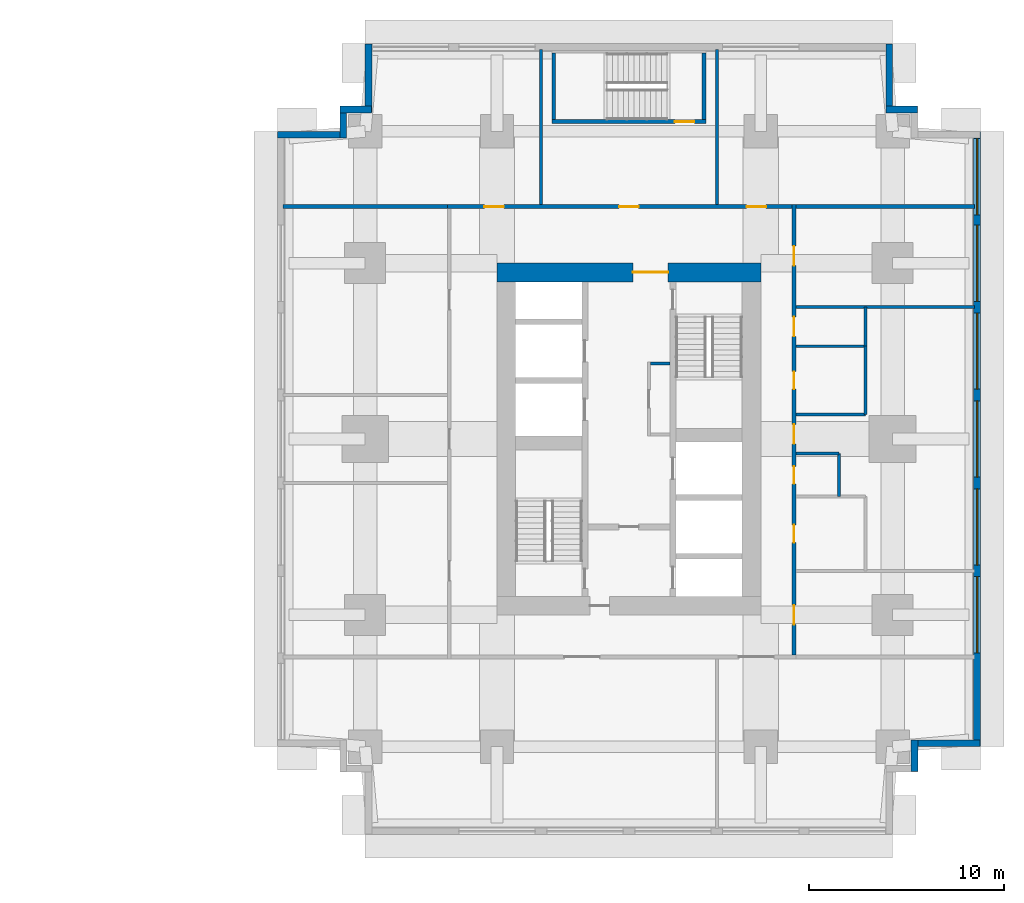
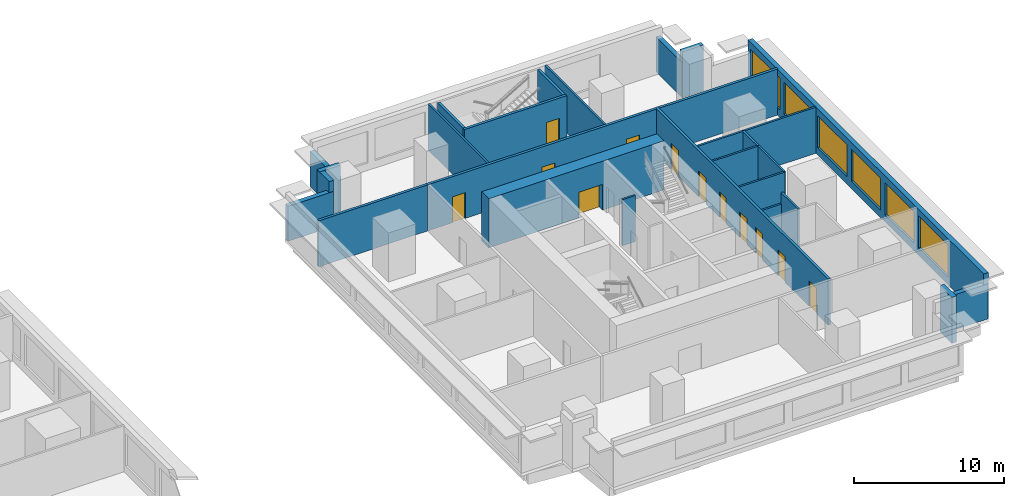
# One storey, part 7 of 11: 27 walls, 12 doors, 6 windows, 18 openings.
"""IFC4 building model written with IfcOpenShell, lengths in metres."""

from ifc_helpers import new_model, si_unit, direction, frame, frame_2d, origin, place, context, subcontext, project, spatial, rectangle, extrude, material, layer, layer_set, type_object, element, fill, save


model = new_model("IFC4")

# Units and contexts
model_context = context("Model", 3, precision=1e-05, world=origin(), true_north=direction((0.0, 1.0)))
body_context = subcontext(model_context, "Body", "Model", "MODEL_VIEW")
ifc_project = project(units=[si_unit("LENGTHUNIT", "METRE"), si_unit("AREAUNIT", "SQUARE_METRE"), si_unit("VOLUMEUNIT", "CUBIC_METRE"), si_unit("PLANEANGLEUNIT", "RADIAN"), si_unit("MASSUNIT", "GRAM", prefix="KILO")], contexts=[model_context])

# Site, building, storey
site_placement = place(None, origin())
site = spatial("IfcSite", under=ifc_project, at=site_placement, CompositionType="ELEMENT")
building_placement = place(site_placement, origin())
building = spatial("IfcBuilding", under=site, at=building_placement, Name="Namib Vertical Campus", CompositionType="ELEMENT")
storey_placement = place(building_placement, frame((0.0, 0.0, 57.0)))
storey = spatial("IfcBuildingStorey", under=building, at=storey_placement, Name="L13", CompositionType="ELEMENT", Elevation=57.0)

# Wall, opening, door
ifc_material_1 = material(Name="Concrete C60/75", Category="concrete")
ifc_layer_1 = layer(ifc_material_1, 0.949951171875)
ifc_layer_set_1 = layer_set([ifc_layer_1], Name="Concrete C60/75")
wall_type_1 = type_object("IfcWallType", Name="Core wall 950", PredefinedType="SHEAR", material=ifc_layer_set_1)
wall_1_placement = place(storey_placement, frame((87.75, 28.77490234375, 0.0), z_axis=(0.0, 0.0, 1.0), x_axis=(-1.0, 0.0, 0.0)))
wall_1 = element("IfcWall", 1, at=wall_1_placement, inside=storey, type_object=wall_type_1, Name="Core wall B L13 3", PredefinedType="SHEAR", context=body_context, shape_type="SweptSolid", body=[
    extrude(rectangle(XDim=13.5, YDim=0.949951171875, at=frame_2d((6.75, 0.0))), origin(), (0.0, 0.0, 1.0), 4.0),
])
opening_1_placement = place(wall_1_placement, frame((4.75, 0.0, 0.0)))
opening_1 = element("IfcOpeningElement", 2, at=opening_1_placement, cuts=wall_1, Name="Opening FD2", PredefinedType="OPENING", context=body_context, shape_type="SweptSolid", body=[
    extrude(rectangle(XDim=1.800048828125, YDim=2.10009765625, at=frame_2d((0.89990234375, 1.050048828125))), frame((0.0, 0.48486328125, 0.0), z_axis=(0.0, -1.0, 0.0), x_axis=(1.0, 0.0, 0.0)), (0.0, 0.0, 1.0), 0.969970703125),
])
ifc_material_2 = material(Name="Steel fire door", Category="steel")
door_type_1 = type_object("IfcDoorType", Name="Fire door double 1800x2100", OperationType="DOUBLE_DOOR_SINGLE_SWING", PredefinedType="DOOR", material=ifc_material_2)
door_1_placement = place(opening_1_placement, origin())
door_1 = element("IfcDoor", 3, at=door_1_placement, inside=storey, type_object=door_type_1, Name="Lift lobby door FD2 B L13", OperationType="DOUBLE_DOOR_SINGLE_SWING", OverallHeight=2.10009765625, OverallWidth=1.800048828125, PredefinedType="DOOR", context=body_context, shape_type="SweptSolid", body=[
    extrude(rectangle(XDim=1.800048828125, YDim=2.10009765625, at=frame_2d((0.89990234375, 1.050048828125))), frame((0.0, 0.02490234375, 0.0), z_axis=(0.0, -1.0, 0.0), x_axis=(1.0, 0.0, 0.0)), (0.0, 0.0, 1.0), 0.050048828125),
])
fill(opening_1, door_1)

# Wall, openings, doors
ifc_material_3 = material(Name="Concrete masonry", Category="masonry")
ifc_layer_2 = layer(ifc_material_3, 0.199951171875)
ifc_layer_set_2 = layer_set([ifc_layer_2], Name="Corridor wall 200")
wall_type_2 = type_object("IfcWallType", Name="Corridor wall 200", PredefinedType="SOLIDWALL", material=ifc_layer_set_2)
wall_2_placement = place(storey_placement, frame((89.449951171875, 9.199951171875, 0.0), z_axis=(0.0, 0.0, 1.0), x_axis=(0.0, 1.0, 0.0)))
wall_2 = element("IfcWall", 4, at=wall_2_placement, inside=storey, type_object=wall_type_2, Name="Corridor wall B L13 CE", PredefinedType="SOLIDWALL", context=body_context, shape_type="SweptSolid", body=[
    extrude(rectangle(XDim=23.050048828125, YDim=0.199951171875, at=frame_2d((11.52490234375, 0.0))), origin(), (0.0, 0.0, 1.0), 3.75),
])
opening_2_placement = place(wall_2_placement, frame((1.550048828125, 0.0, 0.0)))
opening_2 = element("IfcOpeningElement", 5, at=opening_2_placement, cuts=wall_2, Name="Opening CD1", PredefinedType="OPENING", context=body_context, shape_type="SweptSolid", body=[
    extrude(rectangle(XDim=1.0, YDim=2.10009765625, at=frame_2d((0.5, 1.050048828125))), frame((0.0, 0.10986328125, 0.0), z_axis=(0.0, -1.0, 0.0), x_axis=(1.0, 0.0, 0.0)), (0.0, 0.0, 1.0), 0.219970703125),
])
opening_3_placement = place(wall_2_placement, frame((5.75, 0.0, 0.0)))
opening_3 = element("IfcOpeningElement", 6, at=opening_3_placement, cuts=wall_2, Name="Opening CD3", PredefinedType="OPENING", context=body_context, shape_type="SweptSolid", body=[
    extrude(rectangle(XDim=0.89990234375, YDim=2.10009765625, at=frame_2d((0.449951171875, 1.050048828125))), frame((0.0, 0.10986328125, 0.0), z_axis=(0.0, -1.0, 0.0), x_axis=(1.0, 0.0, 0.0)), (0.0, 0.0, 1.0), 0.219970703125),
])
opening_4_placement = place(wall_2_placement, frame((8.75, 0.0, 0.0)))
opening_4 = element("IfcOpeningElement", 7, at=opening_4_placement, cuts=wall_2, Name="Opening CD3", PredefinedType="OPENING", context=body_context, shape_type="SweptSolid", body=[
    extrude(rectangle(XDim=0.89990234375, YDim=2.10009765625, at=frame_2d((0.449951171875, 1.050048828125))), frame((0.0, 0.10986328125, 0.0), z_axis=(0.0, -1.0, 0.0), x_axis=(1.0, 0.0, 0.0)), (0.0, 0.0, 1.0), 0.219970703125),
])
opening_5_placement = place(wall_2_placement, frame((13.60009765625, 0.0, 0.0)))
opening_5 = element("IfcOpeningElement", 8, at=opening_5_placement, cuts=wall_2, Name="Opening CD3", PredefinedType="OPENING", context=body_context, shape_type="SweptSolid", body=[
    extrude(rectangle(XDim=0.89990234375, YDim=2.10009765625, at=frame_2d((0.449951171875, 1.050048828125))), frame((0.0, 0.10986328125, 0.0), z_axis=(0.0, -1.0, 0.0), x_axis=(1.0, 0.0, 0.0)), (0.0, 0.0, 1.0), 0.219970703125),
])
opening_6_placement = place(wall_2_placement, frame((16.300048828125, 0.0, 0.0)))
opening_6 = element("IfcOpeningElement", 9, at=opening_6_placement, cuts=wall_2, Name="Opening CD1", PredefinedType="OPENING", context=body_context, shape_type="SweptSolid", body=[
    extrude(rectangle(XDim=1.0, YDim=2.10009765625, at=frame_2d((0.5, 1.050048828125))), frame((0.0, 0.10986328125, 0.0), z_axis=(0.0, -1.0, 0.0), x_axis=(1.0, 0.0, 0.0)), (0.0, 0.0, 1.0), 0.219970703125),
])
opening_7_placement = place(wall_2_placement, frame((10.800048828125, 0.0, 0.0)))
opening_7 = element("IfcOpeningElement", 10, at=opening_7_placement, cuts=wall_2, Name="Opening CD1", PredefinedType="OPENING", context=body_context, shape_type="SweptSolid", body=[
    extrude(rectangle(XDim=1.0, YDim=2.10009765625, at=frame_2d((0.5, 1.050048828125))), frame((0.0, 0.10986328125, 0.0), z_axis=(0.0, -1.0, 0.0), x_axis=(1.0, 0.0, 0.0)), (0.0, 0.0, 1.0), 0.219970703125),
])
opening_8_placement = place(wall_2_placement, frame((19.925048828125, 0.0, 0.0)))
opening_8 = element("IfcOpeningElement", 11, at=opening_8_placement, cuts=wall_2, Name="Opening CD1", PredefinedType="OPENING", context=body_context, shape_type="SweptSolid", body=[
    extrude(rectangle(XDim=1.0, YDim=2.10009765625, at=frame_2d((0.5, 1.050048828125))), frame((0.0, 0.10986328125, 0.0), z_axis=(0.0, -1.0, 0.0), x_axis=(1.0, 0.0, 0.0)), (0.0, 0.0, 1.0), 0.219970703125),
])
ifc_material_4 = material(Name="Timber fire door leaf", Category="wood")
door_type_2 = type_object("IfcDoorType", Name="Corridor door 1000x2100 20 min", OperationType="SINGLE_SWING_LEFT", PredefinedType="DOOR", material=ifc_material_4)
door_2_placement = place(opening_2_placement, frame((1.0, 0.0, 0.0), z_axis=(0.0, 0.0, 1.0), x_axis=(-1.0, 0.0, 0.0)))
door_2 = element("IfcDoor", 12, at=door_2_placement, inside=storey, type_object=door_type_2, Name="Door CD1 B13-03", OperationType="SINGLE_SWING_RIGHT", OverallHeight=2.10009765625, OverallWidth=1.0, PredefinedType="DOOR", context=body_context, shape_type="SweptSolid", body=[
    extrude(rectangle(XDim=1.0, YDim=2.10009765625, at=frame_2d((0.5, 1.050048828125))), frame((0.0, 0.02490234375, 0.0), z_axis=(0.0, -1.0, 0.0), x_axis=(1.0, 0.0, 0.0)), (0.0, 0.0, 1.0), 0.050048828125),
])
fill(opening_2, door_2)
door_3_placement = place(opening_6_placement, frame((1.0, 0.0, 0.0), z_axis=(0.0, 0.0, 1.0), x_axis=(-1.0, 0.0, 0.0)))
door_3 = element("IfcDoor", 13, at=door_3_placement, inside=storey, type_object=door_type_2, Name="Door CD1 B13-07", OperationType="SINGLE_SWING_RIGHT", OverallHeight=2.10009765625, OverallWidth=1.0, PredefinedType="DOOR", context=body_context, shape_type="SweptSolid", body=[
    extrude(rectangle(XDim=1.0, YDim=2.10009765625, at=frame_2d((0.5, 1.050048828125))), frame((0.0, 0.02490234375, 0.0), z_axis=(0.0, -1.0, 0.0), x_axis=(1.0, 0.0, 0.0)), (0.0, 0.0, 1.0), 0.050048828125),
])
fill(opening_6, door_3)
door_4_placement = place(opening_7_placement, frame((1.0, 0.0, 0.0), z_axis=(0.0, 0.0, 1.0), x_axis=(-1.0, 0.0, 0.0)))
door_4 = element("IfcDoor", 14, at=door_4_placement, inside=storey, type_object=door_type_2, Name="Door CD1 B13-08", OperationType="SINGLE_SWING_RIGHT", OverallHeight=2.10009765625, OverallWidth=1.0, PredefinedType="DOOR", context=body_context, shape_type="SweptSolid", body=[
    extrude(rectangle(XDim=1.0, YDim=2.10009765625, at=frame_2d((0.5, 1.050048828125))), frame((0.0, 0.02490234375, 0.0), z_axis=(0.0, -1.0, 0.0), x_axis=(1.0, 0.0, 0.0)), (0.0, 0.0, 1.0), 0.050048828125),
])
fill(opening_7, door_4)
door_5_placement = place(opening_8_placement, frame((1.0, 0.0, 0.0), z_axis=(0.0, 0.0, 1.0), x_axis=(-1.0, 0.0, 0.0)))
door_5 = element("IfcDoor", 15, at=door_5_placement, inside=storey, type_object=door_type_2, Name="Door CD1 B13-09", OperationType="SINGLE_SWING_RIGHT", OverallHeight=2.10009765625, OverallWidth=1.0, PredefinedType="DOOR", context=body_context, shape_type="SweptSolid", body=[
    extrude(rectangle(XDim=1.0, YDim=2.10009765625, at=frame_2d((0.5, 1.050048828125))), frame((0.0, 0.02490234375, 0.0), z_axis=(0.0, -1.0, 0.0), x_axis=(1.0, 0.0, 0.0)), (0.0, 0.0, 1.0), 0.050048828125),
])
fill(opening_8, door_5)
ifc_material_5 = material(Name="Timber fire door leaf", Category="wood")
door_type_3 = type_object("IfcDoorType", Name="Corridor toilet door 900x2100 20 min", OperationType="SINGLE_SWING_LEFT", PredefinedType="DOOR", material=ifc_material_5)
door_6_placement = place(opening_3_placement, frame((0.89990234375, 0.0, 0.0), z_axis=(0.0, 0.0, 1.0), x_axis=(-1.0, 0.0, 0.0)))
door_6 = element("IfcDoor", 16, at=door_6_placement, inside=storey, type_object=door_type_3, Name="Door CD3 B13-04", OperationType="SINGLE_SWING_RIGHT", OverallHeight=2.10009765625, OverallWidth=0.89990234375, PredefinedType="DOOR", context=body_context, shape_type="SweptSolid", body=[
    extrude(rectangle(XDim=0.89990234375, YDim=2.10009765625, at=frame_2d((0.449951171875, 1.050048828125))), frame((0.0, 0.02490234375, 0.0), z_axis=(0.0, -1.0, 0.0), x_axis=(1.0, 0.0, 0.0)), (0.0, 0.0, 1.0), 0.050048828125),
])
fill(opening_3, door_6)
door_7_placement = place(opening_4_placement, frame((0.89990234375, 0.0, 0.0), z_axis=(0.0, 0.0, 1.0), x_axis=(-1.0, 0.0, 0.0)))
door_7 = element("IfcDoor", 17, at=door_7_placement, inside=storey, type_object=door_type_3, Name="Door CD3 B13-05", OperationType="SINGLE_SWING_RIGHT", OverallHeight=2.10009765625, OverallWidth=0.89990234375, PredefinedType="DOOR", context=body_context, shape_type="SweptSolid", body=[
    extrude(rectangle(XDim=0.89990234375, YDim=2.10009765625, at=frame_2d((0.449951171875, 1.050048828125))), frame((0.0, 0.02490234375, 0.0), z_axis=(0.0, -1.0, 0.0), x_axis=(1.0, 0.0, 0.0)), (0.0, 0.0, 1.0), 0.050048828125),
])
fill(opening_4, door_7)
door_8_placement = place(opening_5_placement, frame((0.89990234375, 0.0, 0.0), z_axis=(0.0, 0.0, 1.0), x_axis=(-1.0, 0.0, 0.0)))
door_8 = element("IfcDoor", 18, at=door_8_placement, inside=storey, type_object=door_type_3, Name="Door CD3 B13-06", OperationType="SINGLE_SWING_RIGHT", OverallHeight=2.10009765625, OverallWidth=0.89990234375, PredefinedType="DOOR", context=body_context, shape_type="SweptSolid", body=[
    extrude(rectangle(XDim=0.89990234375, YDim=2.10009765625, at=frame_2d((0.449951171875, 1.050048828125))), frame((0.0, 0.02490234375, 0.0), z_axis=(0.0, -1.0, 0.0), x_axis=(1.0, 0.0, 0.0)), (0.0, 0.0, 1.0), 0.050048828125),
])
fill(opening_5, door_8)

wall_3_placement = place(storey_placement, frame((89.35009765625, 32.14990234375, 0.0), z_axis=(0.0, 0.0, 1.0), x_axis=(-1.0, 0.0, 0.0)))
wall_3 = element("IfcWall", 19, at=wall_3_placement, inside=storey, type_object=wall_type_2, Name="Corridor wall B L13 CN", PredefinedType="SOLIDWALL", context=body_context, shape_type="SweptSolid", body=[
    extrude(rectangle(XDim=17.650146484375, YDim=0.199951171875, at=frame_2d((8.8251953125, 0.0))), origin(), (0.0, 0.0, 1.0), 3.75),
])
opening_9_placement = place(wall_3_placement, frame((14.75, 0.0, 0.0)))
opening_9 = element("IfcOpeningElement", 20, at=opening_9_placement, cuts=wall_3, Name="Opening CD1", PredefinedType="OPENING", context=body_context, shape_type="SweptSolid", body=[
    extrude(rectangle(XDim=1.0, YDim=2.10009765625, at=frame_2d((0.5, 1.050048828125))), frame((0.0, 0.10986328125, 0.0), z_axis=(0.0, -1.0, 0.0), x_axis=(1.0, 0.0, 0.0)), (0.0, 0.0, 1.0), 0.219970703125),
])
opening_10_placement = place(wall_3_placement, frame((7.85009765625, 0.0, 0.0)))
opening_10 = element("IfcOpeningElement", 21, at=opening_10_placement, cuts=wall_3, Name="Opening CD1", PredefinedType="OPENING", context=body_context, shape_type="SweptSolid", body=[
    extrude(rectangle(XDim=1.0, YDim=2.10009765625, at=frame_2d((0.5, 1.050048828125))), frame((0.0, 0.10986328125, 0.0), z_axis=(0.0, -1.0, 0.0), x_axis=(1.0, 0.0, 0.0)), (0.0, 0.0, 1.0), 0.219970703125),
])
opening_11_placement = place(wall_3_placement, frame((1.324951171875, 0.0, 0.0)))
opening_11 = element("IfcOpeningElement", 22, at=opening_11_placement, cuts=wall_3, Name="Opening CD1", PredefinedType="OPENING", context=body_context, shape_type="SweptSolid", body=[
    extrude(rectangle(XDim=1.0, YDim=2.10009765625, at=frame_2d((0.5, 1.050048828125))), frame((0.0, 0.10986328125, 0.0), z_axis=(0.0, -1.0, 0.0), x_axis=(1.0, 0.0, 0.0)), (0.0, 0.0, 1.0), 0.219970703125),
])
door_9_placement = place(opening_9_placement, frame((1.0, 0.0, 0.0), z_axis=(0.0, 0.0, 1.0), x_axis=(-1.0, 0.0, 0.0)))
door_9 = element("IfcDoor", 23, at=door_9_placement, inside=storey, type_object=door_type_2, Name="Door CD1 B13-10", OperationType="SINGLE_SWING_RIGHT", OverallHeight=2.10009765625, OverallWidth=1.0, PredefinedType="DOOR", context=body_context, shape_type="SweptSolid", body=[
    extrude(rectangle(XDim=1.0, YDim=2.10009765625, at=frame_2d((0.5, 1.050048828125))), frame((0.0, 0.02490234375, 0.0), z_axis=(0.0, -1.0, 0.0), x_axis=(1.0, 0.0, 0.0)), (0.0, 0.0, 1.0), 0.050048828125),
])
fill(opening_9, door_9)
door_10_placement = place(opening_10_placement, frame((1.0, 0.0, 0.0), z_axis=(0.0, 0.0, 1.0), x_axis=(-1.0, 0.0, 0.0)))
door_10 = element("IfcDoor", 24, at=door_10_placement, inside=storey, type_object=door_type_2, Name="Door CD1 B13-11", OperationType="SINGLE_SWING_RIGHT", OverallHeight=2.10009765625, OverallWidth=1.0, PredefinedType="DOOR", context=body_context, shape_type="SweptSolid", body=[
    extrude(rectangle(XDim=1.0, YDim=2.10009765625, at=frame_2d((0.5, 1.050048828125))), frame((0.0, 0.02490234375, 0.0), z_axis=(0.0, -1.0, 0.0), x_axis=(1.0, 0.0, 0.0)), (0.0, 0.0, 1.0), 0.050048828125),
])
fill(opening_10, door_10)
door_11_placement = place(opening_11_placement, frame((1.0, 0.0, 0.0), z_axis=(0.0, 0.0, 1.0), x_axis=(-1.0, 0.0, 0.0)))
door_11 = element("IfcDoor", 25, at=door_11_placement, inside=storey, type_object=door_type_2, Name="Door CD1 B13-12", OperationType="SINGLE_SWING_LEFT", OverallHeight=2.10009765625, OverallWidth=1.0, PredefinedType="DOOR", context=body_context, shape_type="SweptSolid", body=[
    extrude(rectangle(XDim=1.0, YDim=2.10009765625, at=frame_2d((0.5, 1.050048828125))), frame((0.0, 0.02490234375, 0.0), z_axis=(0.0, -1.0, 0.0), x_axis=(1.0, 0.0, 0.0)), (0.0, 0.0, 1.0), 0.050048828125),
])
fill(opening_11, door_11)

# Walls
wall_4_placement = place(storey_placement, frame((63.300048828125, 32.14990234375, 0.0), z_axis=(0.0, 0.0, 1.0), x_axis=(1.0, 0.0, 0.0)))
element("IfcWall", 26, at=wall_4_placement, inside=storey, type_object=wall_type_2, Name="Partition B L13 BNW", PredefinedType="SOLIDWALL", context=body_context, shape_type="SweptSolid", body=[
    extrude(rectangle(XDim=8.39990234375, YDim=0.199951171875, at=frame_2d((4.199951171875, 0.0))), origin(), (0.0, 0.0, 1.0), 3.75),
])
wall_5_placement = place(storey_placement, frame((89.550048828125, 32.14990234375, 0.0), z_axis=(0.0, 0.0, 1.0), x_axis=(1.0, 0.0, 0.0)))
element("IfcWall", 27, at=wall_5_placement, inside=storey, type_object=wall_type_2, Name="Partition B L13 BNE", PredefinedType="SOLIDWALL", context=body_context, shape_type="SweptSolid", body=[
    extrude(rectangle(XDim=9.14990234375, YDim=0.199951171875, at=frame_2d((4.574951171875, 0.0))), origin(), (0.0, 0.0, 1.0), 3.75),
])
ifc_material_6 = material(Name="Concrete C40/50", Category="concrete")
ifc_layer_3 = layer(ifc_material_6, 0.35009765625)
ifc_layer_set_3 = layer_set([ifc_layer_3], Name="Concrete C40/50")
wall_type_3 = type_object("IfcWallType", Name="External wall 350 bush-hammered concrete", PredefinedType="STANDARD", material=ifc_layer_set_3)
wall_6_placement = place(storey_placement, frame((95.625, 3.219970703125, 0.0), z_axis=(0.0, 0.0, 1.0), x_axis=(0.0, 1.0, 0.0)))
element("IfcWall", 28, at=wall_6_placement, inside=storey, type_object=wall_type_3, Name="External wall L13 F04", PredefinedType="STANDARD", context=body_context, shape_type="SweptSolid", body=[
    extrude(rectangle(XDim=1.610107421875, YDim=0.35009765625, at=frame_2d((0.80517578125, 0.0))), origin(), (0.0, 0.0, 1.0), 3.75),
])
wall_7_placement = place(storey_placement, frame((95.469970703125, 4.675048828125, 0.0), z_axis=(0.0, 0.0, 1.0), x_axis=(1.0, 0.0, 0.0)))
element("IfcWall", 29, at=wall_7_placement, inside=storey, type_object=wall_type_3, Name="External wall L13 F05", PredefinedType="STANDARD", context=body_context, shape_type="SweptSolid", body=[
    extrude(rectangle(XDim=3.510009765625, YDim=0.35009765625, at=frame_2d((1.7548828125, 0.0))), origin(), (0.0, 0.0, 1.0), 2.85009765625),
])

# Wall, openings, windows
wall_8_placement = place(storey_placement, frame((98.824951171875, 4.52001953125, 0.0), z_axis=(0.0, 0.0, 1.0), x_axis=(0.0, 1.0, 0.0)))
wall_8 = element("IfcWall", 30, at=wall_8_placement, inside=storey, type_object=wall_type_3, Name="External wall L13 F06", PredefinedType="STANDARD", context=body_context, shape_type="SweptSolid", body=[
    extrude(rectangle(XDim=31.4599609375, YDim=0.35009765625, at=frame_2d((15.72998046875, 0.0))), origin(), (0.0, 0.0, 1.0), 3.75),
])
opening_12_placement = place(wall_8_placement, frame((4.780029296875, 0.0, 0.60009765625)))
opening_12 = element("IfcOpeningElement", 31, at=opening_12_placement, cuts=wall_8, Name="Opening W2", PredefinedType="OPENING", context=body_context, shape_type="SweptSolid", body=[
    extrude(rectangle(XDim=3.89990234375, YDim=2.60009765625, at=frame_2d((1.949951171875, 1.300048828125))), frame((0.0, 0.18505859375, 0.0), z_axis=(0.0, -1.0, 0.0), x_axis=(1.0, 0.0, 0.0)), (0.0, 0.0, 1.0), 0.3701171875),
])
opening_13_placement = place(wall_8_placement, frame((9.280029296875, 0.0, 0.60009765625)))
opening_13 = element("IfcOpeningElement", 32, at=opening_13_placement, cuts=wall_8, Name="Opening W2", PredefinedType="OPENING", context=body_context, shape_type="SweptSolid", body=[
    extrude(rectangle(XDim=3.89990234375, YDim=2.60009765625, at=frame_2d((1.949951171875, 1.300048828125))), frame((0.0, 0.18505859375, 0.0), z_axis=(0.0, -1.0, 0.0), x_axis=(1.0, 0.0, 0.0)), (0.0, 0.0, 1.0), 0.3701171875),
])
opening_14_placement = place(wall_8_placement, frame((13.780029296875, 0.0, 0.60009765625)))
opening_14 = element("IfcOpeningElement", 33, at=opening_14_placement, cuts=wall_8, Name="Opening W2", PredefinedType="OPENING", context=body_context, shape_type="SweptSolid", body=[
    extrude(rectangle(XDim=3.89990234375, YDim=2.60009765625, at=frame_2d((1.949951171875, 1.300048828125))), frame((0.0, 0.18505859375, 0.0), z_axis=(0.0, -1.0, 0.0), x_axis=(1.0, 0.0, 0.0)), (0.0, 0.0, 1.0), 0.3701171875),
])
opening_15_placement = place(wall_8_placement, frame((18.280029296875, 0.0, 0.60009765625)))
opening_15 = element("IfcOpeningElement", 34, at=opening_15_placement, cuts=wall_8, Name="Opening W2", PredefinedType="OPENING", context=body_context, shape_type="SweptSolid", body=[
    extrude(rectangle(XDim=3.89990234375, YDim=2.60009765625, at=frame_2d((1.949951171875, 1.300048828125))), frame((0.0, 0.18505859375, 0.0), z_axis=(0.0, -1.0, 0.0), x_axis=(1.0, 0.0, 0.0)), (0.0, 0.0, 1.0), 0.3701171875),
])
opening_16_placement = place(wall_8_placement, frame((22.780029296875, 0.0, 0.60009765625)))
opening_16 = element("IfcOpeningElement", 35, at=opening_16_placement, cuts=wall_8, Name="Opening W2", PredefinedType="OPENING", context=body_context, shape_type="SweptSolid", body=[
    extrude(rectangle(XDim=3.89990234375, YDim=2.60009765625, at=frame_2d((1.949951171875, 1.300048828125))), frame((0.0, 0.18505859375, 0.0), z_axis=(0.0, -1.0, 0.0), x_axis=(1.0, 0.0, 0.0)), (0.0, 0.0, 1.0), 0.3701171875),
])
opening_17_placement = place(wall_8_placement, frame((27.2099609375, 0.0, 0.60009765625)))
opening_17 = element("IfcOpeningElement", 36, at=opening_17_placement, cuts=wall_8, Name="Opening W2", PredefinedType="OPENING", context=body_context, shape_type="SweptSolid", body=[
    extrude(rectangle(XDim=3.89990234375, YDim=2.60009765625, at=frame_2d((1.949951171875, 1.300048828125))), frame((0.0, 0.18505859375, 0.0), z_axis=(0.0, -1.0, 0.0), x_axis=(1.0, 0.0, 0.0)), (0.0, 0.0, 1.0), 0.3701171875),
])
ifc_material_7 = material(Name="Dark tinted glass in black aluminium frame", Category="aluminium")
window_type = type_object("IfcWindowType", Name="Ribbon window 3900x2600", PartitioningType="SINGLE_PANEL", PredefinedType="WINDOW", material=ifc_material_7)
window_1_placement = place(opening_12_placement, origin())
window_1 = element("IfcWindow", 37, at=window_1_placement, inside=storey, type_object=window_type, Name="Window W2 L13 F06-2", OverallHeight=2.60009765625, OverallWidth=3.89990234375, PartitioningType="SINGLE_PANEL", PredefinedType="WINDOW", context=body_context, shape_type="SweptSolid", body=[
    extrude(rectangle(XDim=3.89990234375, YDim=2.60009765625, at=frame_2d((1.949951171875, 1.300048828125))), frame((0.0, 0.030029296875, 0.0), z_axis=(0.0, -1.0, 0.0), x_axis=(1.0, 0.0, 0.0)), (0.0, 0.0, 1.0), 0.06005859375),
])
fill(opening_12, window_1)
window_2_placement = place(opening_13_placement, origin())
window_2 = element("IfcWindow", 38, at=window_2_placement, inside=storey, type_object=window_type, Name="Window W2 L13 F06-3", OverallHeight=2.60009765625, OverallWidth=3.89990234375, PartitioningType="SINGLE_PANEL", PredefinedType="WINDOW", context=body_context, shape_type="SweptSolid", body=[
    extrude(rectangle(XDim=3.89990234375, YDim=2.60009765625, at=frame_2d((1.949951171875, 1.300048828125))), frame((0.0, 0.030029296875, 0.0), z_axis=(0.0, -1.0, 0.0), x_axis=(1.0, 0.0, 0.0)), (0.0, 0.0, 1.0), 0.06005859375),
])
fill(opening_13, window_2)
window_3_placement = place(opening_14_placement, origin())
window_3 = element("IfcWindow", 39, at=window_3_placement, inside=storey, type_object=window_type, Name="Window W2 L13 F06-4", OverallHeight=2.60009765625, OverallWidth=3.89990234375, PartitioningType="SINGLE_PANEL", PredefinedType="WINDOW", context=body_context, shape_type="SweptSolid", body=[
    extrude(rectangle(XDim=3.89990234375, YDim=2.60009765625, at=frame_2d((1.949951171875, 1.300048828125))), frame((0.0, 0.030029296875, 0.0), z_axis=(0.0, -1.0, 0.0), x_axis=(1.0, 0.0, 0.0)), (0.0, 0.0, 1.0), 0.06005859375),
])
fill(opening_14, window_3)
window_4_placement = place(opening_15_placement, origin())
window_4 = element("IfcWindow", 40, at=window_4_placement, inside=storey, type_object=window_type, Name="Window W2 L13 F06-5", OverallHeight=2.60009765625, OverallWidth=3.89990234375, PartitioningType="SINGLE_PANEL", PredefinedType="WINDOW", context=body_context, shape_type="SweptSolid", body=[
    extrude(rectangle(XDim=3.89990234375, YDim=2.60009765625, at=frame_2d((1.949951171875, 1.300048828125))), frame((0.0, 0.030029296875, 0.0), z_axis=(0.0, -1.0, 0.0), x_axis=(1.0, 0.0, 0.0)), (0.0, 0.0, 1.0), 0.06005859375),
])
fill(opening_15, window_4)
window_5_placement = place(opening_16_placement, origin())
window_5 = element("IfcWindow", 41, at=window_5_placement, inside=storey, type_object=window_type, Name="Window W2 L13 F06-6", OverallHeight=2.60009765625, OverallWidth=3.89990234375, PartitioningType="SINGLE_PANEL", PredefinedType="WINDOW", context=body_context, shape_type="SweptSolid", body=[
    extrude(rectangle(XDim=3.89990234375, YDim=2.60009765625, at=frame_2d((1.949951171875, 1.300048828125))), frame((0.0, 0.030029296875, 0.0), z_axis=(0.0, -1.0, 0.0), x_axis=(1.0, 0.0, 0.0)), (0.0, 0.0, 1.0), 0.06005859375),
])
fill(opening_16, window_5)
window_6_placement = place(opening_17_placement, origin())
window_6 = element("IfcWindow", 42, at=window_6_placement, inside=storey, type_object=window_type, Name="Window W2 L13 F06-7", OverallHeight=2.60009765625, OverallWidth=3.89990234375, PartitioningType="SINGLE_PANEL", PredefinedType="WINDOW", context=body_context, shape_type="SweptSolid", body=[
    extrude(rectangle(XDim=3.89990234375, YDim=2.60009765625, at=frame_2d((1.949951171875, 1.300048828125))), frame((0.0, 0.030029296875, 0.0), z_axis=(0.0, -1.0, 0.0), x_axis=(1.0, 0.0, 0.0)), (0.0, 0.0, 1.0), 0.06005859375),
])
fill(opening_17, window_6)

# Walls
wall_9_placement = place(storey_placement, frame((95.780029296875, 37.125, 0.0), z_axis=(0.0, 0.0, 1.0), x_axis=(-1.0, 0.0, 0.0)))
element("IfcWall", 43, at=wall_9_placement, inside=storey, type_object=wall_type_3, Name="External wall L13 F09", PredefinedType="STANDARD", context=body_context, shape_type="SweptSolid", body=[
    extrude(rectangle(XDim=1.610107421875, YDim=0.35009765625, at=frame_2d((0.80517578125, 0.0))), origin(), (0.0, 0.0, 1.0), 3.75),
])
for number, where, z_axis, x_axis, name in (
    (44, (94.324951171875, 36.969970703125, 0.0), (0.0, 0.0, 1.0), (0.0, 1.0, 0.0), "External wall L13 F10"),
    (45, (67.675048828125, 40.47998046875, 0.0), (0.0, 0.0, 1.0), (0.0, -1.0, 0.0), "External wall L13 F12"),
):
    element("IfcWall", number, at=place(storey_placement, frame(where, z_axis=z_axis, x_axis=x_axis)), inside=storey, type_object=wall_type_3, Name=name, PredefinedType="STANDARD", context=body_context, shape_type="SweptSolid", body=[
        extrude(rectangle(XDim=3.510009765625, YDim=0.35009765625, at=frame_2d((1.7548828125, 0.0))), origin(), (0.0, 0.0, 1.0), 2.85009765625),
    ])
for number, where, z_axis, x_axis, name in (
    (46, (67.830078125, 37.125, 0.0), (0.0, 0.0, 1.0), (-1.0, 0.0, 0.0), "External wall L13 F13"),
    (47, (66.375, 37.280029296875, 0.0), (0.0, 0.0, 1.0), (0.0, -1.0, 0.0), "External wall L13 F14"),
):
    element("IfcWall", number, at=place(storey_placement, frame(where, z_axis=z_axis, x_axis=x_axis)), inside=storey, type_object=wall_type_3, Name=name, PredefinedType="STANDARD", context=body_context, shape_type="SweptSolid", body=[
        extrude(rectangle(XDim=1.610107421875, YDim=0.35009765625, at=frame_2d((0.80517578125, 0.0))), origin(), (0.0, 0.0, 1.0), 3.75),
    ])
wall_10_placement = place(storey_placement, frame((66.530029296875, 35.824951171875, 0.0), z_axis=(0.0, 0.0, 1.0), x_axis=(-1.0, 0.0, 0.0)))
element("IfcWall", 48, at=wall_10_placement, inside=storey, type_object=wall_type_3, Name="External wall L13 F15", PredefinedType="STANDARD", context=body_context, shape_type="SweptSolid", body=[
    extrude(rectangle(XDim=3.510009765625, YDim=0.35009765625, at=frame_2d((1.7548828125, 0.0))), origin(), (0.0, 0.0, 1.0), 2.85009765625),
])
ifc_material_8 = material(Name="Gypsum board on steel studs", Category="steel")
ifc_layer_4 = layer(ifc_material_8, 0.14990234375)
ifc_layer_set_4 = layer_set([ifc_layer_4], Name="Gypsum board on steel studs")
wall_type_4 = type_object("IfcWallType", Name="Partition 150", PredefinedType="PARTITIONING", material=ifc_layer_set_4)
wall_11_placement = place(storey_placement, frame((82.10009765625, 24.125, 0.0), z_axis=(0.0, 0.0, 1.0), x_axis=(1.0, 0.0, 0.0)))
element("IfcWall", 49, at=wall_11_placement, inside=storey, type_object=wall_type_4, Name="Partition B L13 Linen store end 2", PredefinedType="PARTITIONING", context=body_context, shape_type="SweptSolid", body=[
    extrude(rectangle(XDim=1.0, YDim=0.14990234375, at=frame_2d((0.5, 0.0))), origin(), (0.0, 0.0, 1.0), 3.75),
])
for number, where, z_axis, x_axis, name in (
    (50, (76.5, 32.25, 0.0), (0.0, 0.0, 1.0), (0.0, 1.0, 0.0), "Partition B L13 PN1"),
    (51, (85.5, 32.25, 0.0), (0.0, 0.0, 1.0), (0.0, 1.0, 0.0), "Partition B L13 PN2"),
):
    element("IfcWall", number, at=place(storey_placement, frame(where, z_axis=z_axis, x_axis=x_axis)), inside=storey, type_object=wall_type_4, Name=name, PredefinedType="PARTITIONING", context=body_context, shape_type="SweptSolid", body=[
        extrude(rectangle(XDim=7.949951171875, YDim=0.14990234375, at=frame_2d((3.97509765625, 0.0))), origin(), (0.0, 0.0, 1.0), 3.75),
    ])
wall_12_placement = place(storey_placement, frame((89.550048828125, 27.0, 0.0), z_axis=(0.0, 0.0, 1.0), x_axis=(1.0, 0.0, 0.0)))
element("IfcWall", 52, at=wall_12_placement, inside=storey, type_object=wall_type_4, Name="Partition B L13 PE2", PredefinedType="PARTITIONING", context=body_context, shape_type="SweptSolid", body=[
    extrude(rectangle(XDim=9.14990234375, YDim=0.14990234375, at=frame_2d((4.574951171875, 0.0))), origin(), (0.0, 0.0, 1.0), 3.75),
])
wall_13_placement = place(storey_placement, frame((89.550048828125, 19.5, 0.0), z_axis=(0.0, 0.0, 1.0), x_axis=(1.0, 0.0, 0.0)))
element("IfcWall", 53, at=wall_13_placement, inside=storey, type_object=wall_type_4, Name="Partition B L13 WR2", PredefinedType="PARTITIONING", context=body_context, shape_type="SweptSolid", body=[
    extrude(rectangle(XDim=2.199951171875, YDim=0.14990234375, at=frame_2d((1.10009765625, 0.0))), origin(), (0.0, 0.0, 1.0), 2.85009765625),
])
for number, where, z_axis, x_axis, name in (
    (54, (89.550048828125, 21.5, 0.0), (0.0, 0.0, 1.0), (1.0, 0.0, 0.0), "Partition B L13 WR3"),
    (55, (89.550048828125, 25.0, 0.0), (0.0, 0.0, 1.0), (1.0, 0.0, 0.0), "Partition B L13 WR4"),
):
    element("IfcWall", number, at=place(storey_placement, frame(where, z_axis=z_axis, x_axis=x_axis)), inside=storey, type_object=wall_type_4, Name=name, PredefinedType="PARTITIONING", context=body_context, shape_type="SweptSolid", body=[
        extrude(rectangle(XDim=3.550048828125, YDim=0.14990234375, at=frame_2d((1.77490234375, 0.0))), origin(), (0.0, 0.0, 1.0), 3.75),
    ])
wall_14_placement = place(storey_placement, frame((91.75, 17.300048828125, 0.0), z_axis=(0.0, 0.0, 1.0), x_axis=(0.0, 1.0, 0.0)))
element("IfcWall", 56, at=wall_14_placement, inside=storey, type_object=wall_type_4, Name="Partition B L13 WB2", PredefinedType="PARTITIONING", context=body_context, shape_type="SweptSolid", body=[
    extrude(rectangle(XDim=2.199951171875, YDim=0.14990234375, at=frame_2d((1.10009765625, 0.0))), origin(), (0.0, 0.0, 1.0), 3.75),
])
wall_15_placement = place(storey_placement, frame((93.10009765625, 21.5, 0.0), z_axis=(0.0, 0.0, 1.0), x_axis=(0.0, 1.0, 0.0)))
element("IfcWall", 57, at=wall_15_placement, inside=storey, type_object=wall_type_4, Name="Partition B L13 WB3", PredefinedType="PARTITIONING", context=body_context, shape_type="SweptSolid", body=[
    extrude(rectangle(XDim=3.5, YDim=0.14990234375, at=frame_2d((1.75, 0.0))), origin(), (0.0, 0.0, 1.0), 3.75),
])
wall_16_placement = place(storey_placement, frame((93.10009765625, 25.0, 0.0), z_axis=(0.0, 0.0, 1.0), x_axis=(0.0, 1.0, 0.0)))
element("IfcWall", 58, at=wall_16_placement, inside=storey, type_object=wall_type_4, Name="Partition B L13 WB4", PredefinedType="PARTITIONING", context=body_context, shape_type="SweptSolid", body=[
    extrude(rectangle(XDim=2.0, YDim=0.14990234375, at=frame_2d((1.0, 0.0))), origin(), (0.0, 0.0, 1.0), 3.75),
])

# Wall, opening, door
ifc_material_9 = material(Name="Concrete C40/50", Category="concrete")
ifc_layer_5 = layer(ifc_material_9, 0.199951171875)
ifc_layer_set_5 = layer_set([ifc_layer_5], Name="Concrete C40/50")
wall_type_5 = type_object("IfcWallType", Name="Stair enclosure wall RC 200", PredefinedType="SOLIDWALL", material=ifc_layer_set_5)
wall_17_placement = place(storey_placement, frame((77.050048828125, 36.5, 0.0), z_axis=(0.0, 0.0, 1.0), x_axis=(1.0, 0.0, 0.0)))
wall_17 = element("IfcWall", 59, at=wall_17_placement, inside=storey, type_object=wall_type_5, Name="Stair enclosure wall B-S3 L13 S", PredefinedType="SOLIDWALL", context=body_context, shape_type="SweptSolid", body=[
    extrude(rectangle(XDim=7.89990234375, YDim=0.199951171875, at=frame_2d((3.949951171875, 0.0))), origin(), (0.0, 0.0, 1.0), 3.75),
])
opening_18_placement = place(wall_17_placement, frame((6.300048828125, 0.0, 0.0)))
opening_18 = element("IfcOpeningElement", 60, at=opening_18_placement, cuts=wall_17, Name="Opening FD1", PredefinedType="OPENING", context=body_context, shape_type="SweptSolid", body=[
    extrude(rectangle(XDim=1.0, YDim=2.10009765625, at=frame_2d((0.5, 1.050048828125))), frame((0.0, 0.10986328125, 0.0), z_axis=(0.0, -1.0, 0.0), x_axis=(1.0, 0.0, 0.0)), (0.0, 0.0, 1.0), 0.219970703125),
])
ifc_material_10 = material(Name="Steel fire door", Category="steel")
door_type_4 = type_object("IfcDoorType", Name="Fire door 1000x2100", OperationType="SINGLE_SWING_RIGHT", PredefinedType="DOOR", material=ifc_material_10)
door_12_placement = place(opening_18_placement, origin())
door_12 = element("IfcDoor", 61, at=door_12_placement, inside=storey, type_object=door_type_4, Name="Stair door FD1 B L13 S3", OperationType="SINGLE_SWING_RIGHT", OverallHeight=2.10009765625, OverallWidth=1.0, PredefinedType="DOOR", context=body_context, shape_type="SweptSolid", body=[
    extrude(rectangle(XDim=1.0, YDim=2.10009765625, at=frame_2d((0.5, 1.050048828125))), frame((0.0, 0.02490234375, 0.0), z_axis=(0.0, -1.0, 0.0), x_axis=(1.0, 0.0, 0.0)), (0.0, 0.0, 1.0), 0.050048828125),
])
fill(opening_18, door_12)

# Walls
for number, where, z_axis, x_axis, name in (
    (62, (77.14990234375, 36.60009765625, 0.0), (0.0, 0.0, 1.0), (0.0, 1.0, 0.0), "Stair enclosure wall B-S3 L13 W"),
    (63, (84.85009765625, 36.60009765625, 0.0), (0.0, 0.0, 1.0), (0.0, 1.0, 0.0), "Stair enclosure wall B-S3 L13 E"),
):
    element("IfcWall", number, at=place(storey_placement, frame(where, z_axis=z_axis, x_axis=x_axis)), inside=storey, type_object=wall_type_5, Name=name, PredefinedType="SOLIDWALL", context=body_context, shape_type="SweptSolid", body=[
        extrude(rectangle(XDim=3.39990234375, YDim=0.199951171875, at=frame_2d((1.699951171875, 0.0))), origin(), (0.0, 0.0, 1.0), 3.75),
    ])

save(model, "model.ifc")
